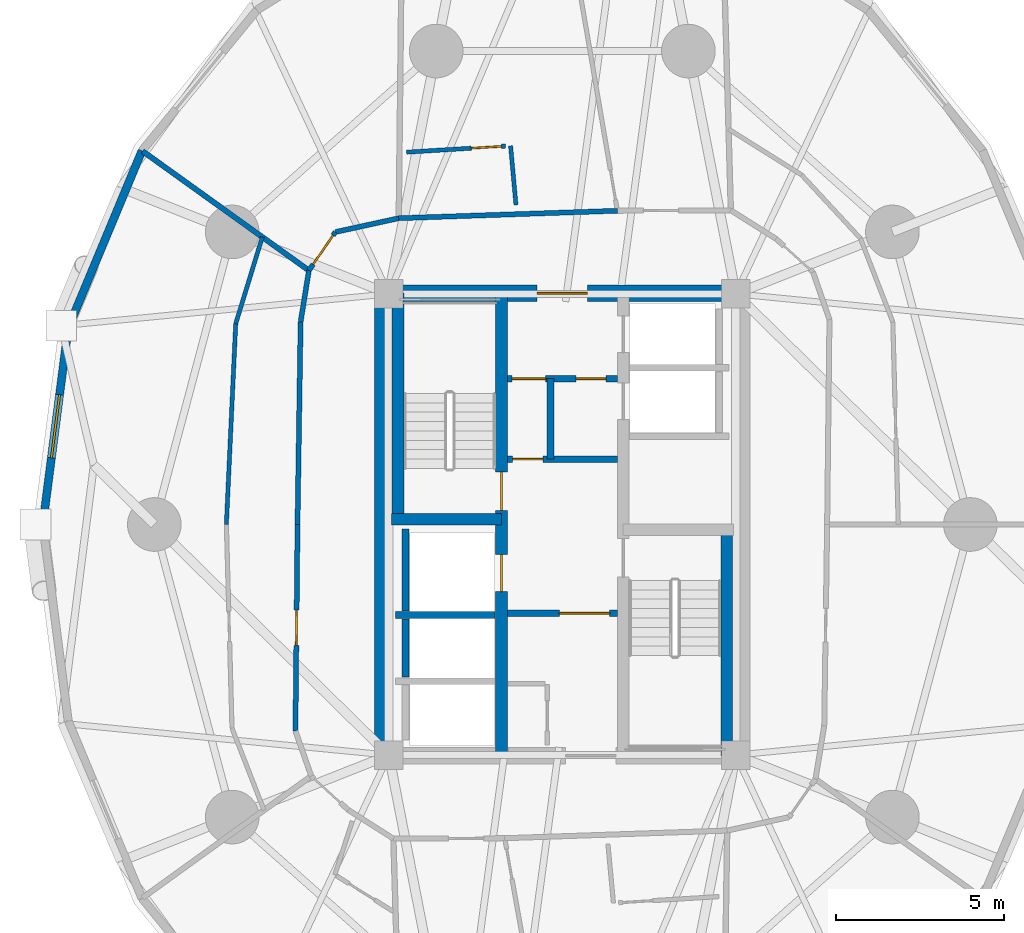
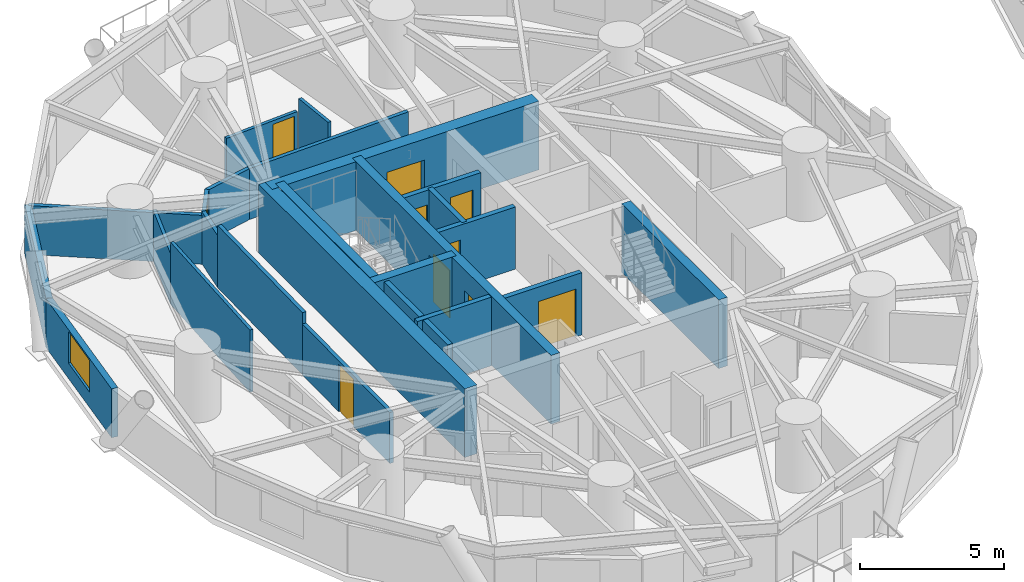
# One storey, part 11 of 20: 26 walls, 10 doors, 1 window, 11 openings.
"""IFC4 building model written with IfcOpenShell, lengths in metres."""

from ifc_helpers import new_model, si_unit, direction, frame, frame_2d, origin, place, context, subcontext, project, spatial, rectangle, extrude, source, transform, mapped, material, layer, layer_set, type_object, element, fill, save


model = new_model("IFC4")

# Units and contexts
model_context = context("Model", 3, precision=1e-05, world=origin(), true_north=direction((0.0, 1.0)))
body_context = subcontext(model_context, "Body", "Model", "MODEL_VIEW")
ifc_project = project(units=[si_unit("LENGTHUNIT", "METRE"), si_unit("AREAUNIT", "SQUARE_METRE"), si_unit("VOLUMEUNIT", "CUBIC_METRE"), si_unit("PLANEANGLEUNIT", "RADIAN"), si_unit("MASSUNIT", "GRAM", prefix="KILO")], contexts=[model_context])

# Site, building, storey
site_placement = place(None, origin())
site = spatial("IfcSite", under=ifc_project, at=site_placement, CompositionType="ELEMENT")
building_placement = place(site_placement, origin())
building = spatial("IfcBuilding", under=site, at=building_placement, Name="Cununo Teusaquillo Station Towers", CompositionType="ELEMENT")
storey_placement = place(building_placement, frame((0.0, 0.0, 39.4599609375)))
storey = spatial("IfcBuildingStorey", under=building, at=storey_placement, Name="L11", CompositionType="ELEMENT", Elevation=39.4599609375)

# Walls
ifc_material_1 = material(Name="Concrete C50/60", Category="concrete")
ifc_layer_1 = layer(ifc_material_1, 0.199951171875)
ifc_layer_set_1 = layer_set([ifc_layer_1], Name="Concrete C50/60")
wall_type_1 = type_object("IfcWallType", Name="WL-CORE-200", PredefinedType="SHEAR", material=ifc_layer_set_1)
wall_1_placement = place(storey_placement, frame((11.52001953125, 21.800048828125, 0.0), z_axis=(0.0, 0.0, 1.0), x_axis=(1.0, 0.0, 0.0)))
element("IfcWall", 1, at=wall_1_placement, inside=storey, type_object=wall_type_1, Name="L11 Tower A Firefighting Lift Shaft South Shear Wall", PredefinedType="SHEAR", context=body_context, shape_type="SweptSolid", body=[
    extrude(rectangle(XDim=2.969970703125, YDim=0.199951171875, at=frame_2d((1.48486328125, 0.0))), origin(), (0.0, 0.0, 1.0), 2.91015625),
])
wall_2_placement = place(storey_placement, frame((11.820068359375, 21.919921875, 0.0), z_axis=(0.0, 0.0, 1.0), x_axis=(0.0, 1.0, 0.0)))
element("IfcWall", 2, at=wall_2_placement, inside=storey, type_object=wall_type_1, Name="L11 Tower A Firefighting Lift Shaft Rear Shear Wall", PredefinedType="SHEAR", context=body_context, shape_type="SweptSolid", body=[
    extrude(rectangle(XDim=2.440185546875, YDim=0.199951171875, at=frame_2d((1.22021484375, 0.0))), origin(), (0.0, 0.0, 1.0), 2.91015625),
])
wall_3_placement = place(storey_placement, frame((11.820068359375, 19.945068359375, 0.0), z_axis=(0.0, 0.0, 1.0), x_axis=(0.0, 1.0, 0.0)))
element("IfcWall", 3, at=wall_3_placement, inside=storey, type_object=wall_type_1, Name="L11 Tower A High-Rise Lift 2 Shaft Rear Shear Wall", PredefinedType="SHEAR", context=body_context, shape_type="SweptSolid", body=[
    extrude(rectangle(XDim=1.73486328125, YDim=0.199951171875, at=frame_2d((0.867431640625, 0.0))), origin(), (0.0, 0.0, 1.0), 2.91015625),
])

# Wall, openings, doors
ifc_material_2 = material(Name="Concrete C50/60", Category="concrete")
ifc_layer_2 = layer(ifc_material_2, 0.35009765625)
ifc_layer_set_2 = layer_set([ifc_layer_2], Name="Concrete C50/60")
wall_type_2 = type_object("IfcWallType", Name="WL-CORE-350", PredefinedType="SHEAR", material=ifc_layer_set_2)
wall_4_placement = place(storey_placement, frame((14.68505859375, 17.60009765625, 0.0), z_axis=(0.0, 0.0, 1.0), x_axis=(0.0, 1.0, 0.0)))
wall_4 = element("IfcWall", 4, at=wall_4_placement, inside=storey, type_object=wall_type_2, Name="L11 Tower A Core Shear Wall IW", PredefinedType="SHEAR", context=body_context, shape_type="SweptSolid", body=[
    extrude(rectangle(XDim=13.7998046875, YDim=0.35009765625, at=frame_2d((6.89990234375, 0.0))), origin(), (0.0, 0.0, 1.0), 2.91015625),
])
shared_shape_1 = source(origin(), body_context, "Body", "SweptSolid", [
    extrude(rectangle(XDim=1.10009765625, YDim=2.014892578125, at=frame_2d((0.550048828125, 1.00732421875))), frame((0.0, 0.18505859375, 0.0), z_axis=(0.0, -1.0, 0.0), x_axis=(1.0, 0.0, 0.0)), (0.0, 0.0, 1.0), 0.3701171875),
])
opening_1_placement = place(wall_4_placement, frame((4.89990234375, 0.0, 0.0)))
opening_1 = element("IfcOpeningElement", 5, at=opening_1_placement, cuts=wall_4, Name="Opening LD-01", PredefinedType="OPENING", context=body_context, shape_type="MappedRepresentation", body=[
    mapped(shared_shape_1, transform((0.0, 0.0, 0.0), x_axis=(1.0, 0.0, 0.0), y_axis=(0.0, 1.0, 0.0), z_axis=(0.0, 0.0, 1.0), scale=1.0)),
])
shared_shape_2 = source(origin(), body_context, "Body", "SweptSolid", [
    extrude(rectangle(XDim=1.14990234375, YDim=2.02001953125, at=frame_2d((0.574951171875, 1.010009765625))), frame((0.0, 0.18505859375, 0.0), z_axis=(0.0, -1.0, 0.0), x_axis=(1.0, 0.0, 0.0)), (0.0, 0.0, 1.0), 0.3701171875),
])
opening_2_placement = place(wall_4_placement, frame((7.320068359375, 0.0, 0.0)))
opening_2 = element("IfcOpeningElement", 6, at=opening_2_placement, cuts=wall_4, Name="Opening D-ST1", PredefinedType="OPENING", context=body_context, shape_type="MappedRepresentation", body=[
    mapped(shared_shape_2, transform((0.0, 0.0, 0.0), x_axis=(1.0, 0.0, 0.0), y_axis=(0.0, 1.0, 0.0), z_axis=(0.0, 0.0, 1.0), scale=1.0)),
])
ifc_material_3 = material(Name="Galvanised fire-rated hollow steel door assembly", Category="steel")
door_type_1 = type_object("IfcDoorType", Name="DR-LIFT-1100", OperationType="SLIDING_TO_LEFT", PredefinedType="DOOR", material=ifc_material_3)
shared_shape_3 = source(origin(), body_context, "Body", "SweptSolid", [
    extrude(rectangle(XDim=1.10009765625, YDim=2.014892578125, at=frame_2d((0.550048828125, 1.00732421875))), frame((0.0, 0.02490234375, 0.0), z_axis=(0.0, -1.0, 0.0), x_axis=(1.0, 0.0, 0.0)), (0.0, 0.0, 1.0), 0.050048828125),
])
door_1_placement = place(opening_1_placement, origin())
door_1 = element("IfcDoor", 7, at=door_1_placement, inside=storey, type_object=door_type_1, Name="L11 Lift FL-T1 Sliding Landing Door", OperationType="SLIDING_TO_RIGHT", OverallHeight=2.014892578125, OverallWidth=1.10009765625, PredefinedType="DOOR", context=body_context, shape_type="MappedRepresentation", body=[
    mapped(shared_shape_3, transform((0.0, 0.0, 0.0), x_axis=(1.0, 0.0, 0.0), y_axis=(0.0, 1.0, 0.0), z_axis=(0.0, 0.0, 1.0), scale=1.0)),
])
fill(opening_1, door_1)
ifc_material_4 = material(Name="Galvanised fire-rated hollow steel door assembly", Category="steel")
door_type_2 = type_object("IfcDoorType", Name="DR-STAIR-1150", OperationType="NOTDEFINED", PredefinedType="DOOR", material=ifc_material_4)
shared_shape_4 = source(origin(), body_context, "Body", "SweptSolid", [
    extrude(rectangle(XDim=1.14990234375, YDim=2.02001953125, at=frame_2d((0.574951171875, 1.010009765625))), frame((0.0, 0.02490234375, 0.0), z_axis=(0.0, -1.0, 0.0), x_axis=(1.0, 0.0, 0.0)), (0.0, 0.0, 1.0), 0.050048828125),
])
door_2_placement = place(opening_2_placement, origin())
door_2 = element("IfcDoor", 8, at=door_2_placement, inside=storey, type_object=door_type_2, Name="L11 Tower A Exit Stair 1 Fire Door", OperationType="SINGLE_SWING_RIGHT", OverallHeight=2.02001953125, OverallWidth=1.14990234375, PredefinedType="DOOR", context=body_context, shape_type="MappedRepresentation", body=[
    mapped(shared_shape_4, transform((0.0, 0.0, 0.0), x_axis=(1.0, 0.0, 0.0), y_axis=(0.0, 1.0, 0.0), z_axis=(0.0, 0.0, 1.0), scale=1.0)),
])
fill(opening_2, door_2)

# Walls
wall_5_placement = place(storey_placement, frame((11.594970703125, 24.655029296875, 0.0), z_axis=(0.0, 0.0, 1.0), x_axis=(0.0, 1.0, 0.0)))
element("IfcWall", 9, at=wall_5_placement, inside=storey, type_object=wall_type_2, Name="L11 Tower A Core Shear Wall ST1W", PredefinedType="SHEAR", context=body_context, shape_type="SweptSolid", body=[
    extrude(rectangle(XDim=6.744873046875, YDim=0.35009765625, at=frame_2d((3.37255859375, 0.0))), origin(), (0.0, 0.0, 1.0), 2.91015625),
])
wall_6_placement = place(storey_placement, frame((11.39990234375, 24.655029296875, 0.0), z_axis=(0.0, 0.0, 1.0), x_axis=(1.0, 0.0, 0.0)))
element("IfcWall", 10, at=wall_6_placement, inside=storey, type_object=wall_type_2, Name="L11 Tower A Core Shear Wall ST1S", PredefinedType="SHEAR", context=body_context, shape_type="SweptSolid", body=[
    extrude(rectangle(XDim=3.28515625, YDim=0.35009765625, at=frame_2d((1.642578125, 0.0))), origin(), (0.0, 0.0, 1.0), 2.91015625),
])
wall_7_placement = place(storey_placement, frame((21.405029296875, 17.60009765625, 0.0), z_axis=(0.0, 0.0, 1.0), x_axis=(0.0, 1.0, 0.0)))
element("IfcWall", 11, at=wall_7_placement, inside=storey, type_object=wall_type_2, Name="L11 Tower A Core Shear Wall ST2E", PredefinedType="SHEAR", context=body_context, shape_type="SweptSolid", body=[
    extrude(rectangle(XDim=6.744873046875, YDim=0.35009765625, at=frame_2d((3.37255859375, 0.0))), origin(), (0.0, 0.0, 1.0), 2.91015625),
])
ifc_material_5 = material(Name="Concrete C60/75", Category="concrete")
ifc_layer_3 = layer(ifc_material_5, 0.5)
ifc_layer_set_3 = layer_set([ifc_layer_3], Name="Concrete C60/75")
wall_type_3 = type_object("IfcWallType", Name="WL-CORE-500", PredefinedType="SHEAR", material=ifc_layer_set_3)
wall_8_placement = place(storey_placement, frame((11.14990234375, 17.35009765625, 0.0), z_axis=(0.0, 0.0, 1.0), x_axis=(0.0, 1.0, 0.0)))
element("IfcWall", 12, at=wall_8_placement, inside=storey, type_object=wall_type_3, Name="L11 Tower A Core Shear Wall W", PredefinedType="SHEAR", context=body_context, shape_type="SweptSolid", body=[
    extrude(rectangle(XDim=14.2998046875, YDim=0.5, at=frame_2d((7.14990234375, 0.0))), origin(), (0.0, 0.0, 1.0), 2.91015625),
])

# Wall, opening, door
wall_9_placement = place(storey_placement, frame((11.14990234375, 31.39990234375, 0.0), z_axis=(0.0, 0.0, 1.0), x_axis=(1.0, 0.0, 0.0)))
wall_9 = element("IfcWall", 13, at=wall_9_placement, inside=storey, type_object=wall_type_3, Name="L11 Tower A Core Shear Wall N", PredefinedType="SHEAR", context=body_context, shape_type="SweptSolid", body=[
    extrude(rectangle(XDim=10.7001953125, YDim=0.5, at=frame_2d((5.35009765625, 0.0))), origin(), (0.0, 0.0, 1.0), 2.91015625),
])
shared_shape_5 = source(origin(), body_context, "Body", "SweptSolid", [
    extrude(rectangle(XDim=1.5, YDim=2.02001953125, at=frame_2d((0.75, 1.010009765625))), frame((0.0, 0.260009765625, 0.0), z_axis=(0.0, -1.0, 0.0), x_axis=(1.0, 0.0, 0.0)), (0.0, 0.0, 1.0), 0.52001953125),
])
opening_3_placement = place(wall_9_placement, frame((4.60009765625, 0.0, 0.0)))
opening_3 = element("IfcOpeningElement", 14, at=opening_3_placement, cuts=wall_9, Name="Opening D-LB1", PredefinedType="OPENING", context=body_context, shape_type="MappedRepresentation", body=[
    mapped(shared_shape_5, transform((0.0, 0.0, 0.0), x_axis=(1.0, 0.0, 0.0), y_axis=(0.0, 1.0, 0.0), z_axis=(0.0, 0.0, 1.0), scale=1.0)),
])
ifc_material_6 = material(Name="Galvanised fire-rated hollow steel door assembly", Category="steel")
door_type_3 = type_object("IfcDoorType", Name="DR-LOBBY-1500", OperationType="DOUBLE_DOOR_SINGLE_SWING", PredefinedType="DOOR", material=ifc_material_6)
shared_shape_6 = source(origin(), body_context, "Body", "SweptSolid", [
    extrude(rectangle(XDim=1.5, YDim=2.02001953125, at=frame_2d((0.75, 1.010009765625))), frame((0.0, 0.02490234375, 0.0), z_axis=(0.0, -1.0, 0.0), x_axis=(1.0, 0.0, 0.0)), (0.0, 0.0, 1.0), 0.050048828125),
])
door_3_placement = place(opening_3_placement, origin())
door_3 = element("IfcDoor", 15, at=door_3_placement, inside=storey, type_object=door_type_3, Name="L11 Tower A North Core Lift Lobby Door", OperationType="DOUBLE_DOOR_SINGLE_SWING", OverallHeight=2.02001953125, OverallWidth=1.5, PredefinedType="DOOR", context=body_context, shape_type="MappedRepresentation", body=[
    mapped(shared_shape_6, transform((0.0, 0.0, 0.0), x_axis=(1.0, 0.0, 0.0), y_axis=(0.0, 1.0, 0.0), z_axis=(0.0, 0.0, 1.0), scale=1.0)),
])
fill(opening_3, door_3)

# Wall
ifc_material_7 = material(Name="Precast concrete C40/50", Category="concrete")
ifc_layer_4 = layer(ifc_material_7, 0.239990234375)
ifc_layer_set_4 = layer_set([ifc_layer_4], Name="Precast concrete C40/50")
wall_type_4 = type_object("IfcWallType", Name="WL-EXT-240", PredefinedType="SOLIDWALL", material=ifc_layer_set_4)
wall_10_placement = place(storey_placement, frame((1.759521484375, 30.362060546875, 0.0), z_axis=(0.0, 0.0, 1.0), x_axis=(0.38430970593, 0.923204229804, 0.0)))
element("IfcWall", 16, at=wall_10_placement, inside=storey, type_object=wall_type_4, Name="L11 Tower A Exterior Facade Wall C08", PredefinedType="SOLIDWALL", context=body_context, shape_type="SweptSolid", body=[
    extrude(rectangle(XDim=5.728271484375, YDim=0.239990234375, at=frame_2d((2.8642578125, 0.0))), origin(), (0.0, 0.0, 1.0), 2.072998046875),
])

# Wall, opening, window
wall_11_placement = place(storey_placement, frame((1.0009765625, 24.5, 0.0), z_axis=(0.0, 0.0, 1.0), x_axis=(0.128329107357, 0.991731637191, 0.0)))
wall_11 = element("IfcWall", 17, at=wall_11_placement, inside=storey, type_object=wall_type_4, Name="L11 Tower A Exterior Facade Wall C09", PredefinedType="SOLIDWALL", context=body_context, shape_type="SweptSolid", body=[
    extrude(rectangle(XDim=5.910888671875, YDim=0.239990234375, at=frame_2d((2.95556640625, 0.0))), origin(), (0.0, 0.0, 1.0), 2.072998046875),
])
shared_shape_7 = source(origin(), body_context, "Body", "SweptSolid", [
    extrude(rectangle(XDim=1.89990234375, YDim=1.35009765625, at=frame_2d((0.949951171875, 0.675048828125))), frame((0.0, 0.1298828125, 0.0), z_axis=(0.0, -1.0, 0.0), x_axis=(1.0, 0.0, 0.0)), (0.0, 0.0, 1.0), 0.260009765625),
])
opening_4_placement = place(wall_11_placement, frame((2.0048828125, 0.0, 0.64990234375)))
opening_4 = element("IfcOpeningElement", 18, at=opening_4_placement, cuts=wall_11, Name="Opening WN-02", PredefinedType="OPENING", context=body_context, shape_type="MappedRepresentation", body=[
    mapped(shared_shape_7, transform((0.0, 0.0, 0.0), x_axis=(1.0, 0.0, 0.0), y_axis=(0.0, 1.0, 0.0), z_axis=(0.0, 0.0, 1.0), scale=1.0)),
])
ifc_material_8 = material(Name="Operable acoustic tinted low-E double glazing", Category="glass")
window_type = type_object("IfcWindowType", Name="WIN-OPER-1900", PartitioningType="DOUBLE_PANEL_VERTICAL", PredefinedType="WINDOW", material=ifc_material_8)
shared_shape_8 = source(origin(), body_context, "Body", "SweptSolid", [
    extrude(rectangle(XDim=1.89990234375, YDim=1.35009765625, at=frame_2d((0.949951171875, 0.675048828125))), frame((0.0, 0.030029296875, 0.0), z_axis=(0.0, -1.0, 0.0), x_axis=(1.0, 0.0, 0.0)), (0.0, 0.0, 1.0), 0.06005859375),
])
window_placement = place(opening_4_placement, origin())
window = element("IfcWindow", 19, at=window_placement, inside=storey, type_object=window_type, Name="L11 Tower A Facade Window C09", OverallHeight=1.35009765625, OverallWidth=1.89990234375, PartitioningType="DOUBLE_PANEL_VERTICAL", PredefinedType="WINDOW", context=body_context, shape_type="MappedRepresentation", body=[
    mapped(shared_shape_8, transform((0.0, 0.0, 0.0), x_axis=(1.0, 0.0, 0.0), y_axis=(0.0, 1.0, 0.0), z_axis=(0.0, 0.0, 1.0), scale=1.0)),
])
fill(opening_4, window)

# Wall
ifc_material_9 = material(Name="Fire-rated gypsum plasterboard partition assembly", Category="gypsum")
ifc_layer_5 = layer(ifc_material_9, 0.125)
ifc_layer_set_5 = layer_set([ifc_layer_5], Name="Fire-rated gypsum plasterboard partition assembly")
wall_type_5 = type_object("IfcWallType", Name="WL-PART-125", PredefinedType="PARTITIONING", material=ifc_layer_set_5)
wall_12_placement = place(storey_placement, frame((15.116943359375, 34.03515625, 0.0), z_axis=(0.0, 0.0, 1.0), x_axis=(-0.090498430303, 0.995896598103, 0.0)))
element("IfcWall", 20, at=wall_12_placement, inside=storey, type_object=wall_type_5, Name="L11 Tower A S02 En-suite Side Wall", PredefinedType="PARTITIONING", context=body_context, shape_type="SweptSolid", body=[
    extrude(rectangle(XDim=1.769775390625, YDim=0.125, at=frame_2d((0.884765625, 0.0))), origin(), (0.0, 0.0, 1.0), 2.635009765625),
])

# Wall, opening, door
wall_13_placement = place(storey_placement, frame((14.80322265625, 35.7880859375, 0.0), z_axis=(0.0, 0.0, 1.0), x_axis=(-0.998116078946, -0.06135383403, 0.0)))
wall_13 = element("IfcWall", 21, at=wall_13_placement, inside=storey, type_object=wall_type_5, Name="L11 Tower A S02 En-suite Back Wall", PredefinedType="PARTITIONING", context=body_context, shape_type="SweptSolid", body=[
    extrude(rectangle(XDim=2.95263671875, YDim=0.125, at=frame_2d((1.476318359375, 0.0))), origin(), (0.0, 0.0, 1.0), 2.158935546875),
])
shared_shape_9 = source(origin(), body_context, "Body", "SweptSolid", [
    extrude(rectangle(XDim=0.89990234375, YDim=2.0048828125, at=frame_2d((0.449951171875, 1.00244140625))), frame((0.0, 0.072509765625, 0.0), z_axis=(0.0, -1.0, 0.0), x_axis=(1.0, 0.0, 0.0)), (0.0, 0.0, 1.0), 0.14501953125),
])
opening_5_placement = place(wall_13_placement, frame((0.1201171875, 0.0, 0.0)))
opening_5 = element("IfcOpeningElement", 22, at=opening_5_placement, cuts=wall_13, Name="Opening D-IN1", PredefinedType="OPENING", context=body_context, shape_type="MappedRepresentation", body=[
    mapped(shared_shape_9, transform((0.0, 0.0, 0.0), x_axis=(1.0, 0.0, 0.0), y_axis=(0.0, 1.0, 0.0), z_axis=(0.0, 0.0, 1.0), scale=1.0)),
])
ifc_material_10 = material(Name="Acoustic solid-core hardwood leaf assembly", Category="wood")
door_type_4 = type_object("IfcDoorType", Name="DR-INT-900", OperationType="NOTDEFINED", PredefinedType="DOOR", material=ifc_material_10)
shared_shape_10 = source(origin(), body_context, "Body", "SweptSolid", [
    extrude(rectangle(XDim=0.89990234375, YDim=2.0048828125, at=frame_2d((0.449951171875, 1.00244140625))), frame((0.0, 0.02490234375, 0.0), z_axis=(0.0, -1.0, 0.0), x_axis=(1.0, 0.0, 0.0)), (0.0, 0.0, 1.0), 0.050048828125),
])
door_4_placement = place(opening_5_placement, origin())
door_4 = element("IfcDoor", 23, at=door_4_placement, inside=storey, type_object=door_type_4, Name="L11 Tower A S02 En-suite Bathroom Door", OperationType="SINGLE_SWING_RIGHT", OverallHeight=2.0048828125, OverallWidth=0.89990234375, PredefinedType="DOOR", context=body_context, shape_type="MappedRepresentation", body=[
    mapped(shared_shape_10, transform((0.0, 0.0, 0.0), x_axis=(1.0, 0.0, 0.0), y_axis=(0.0, 1.0, 0.0), z_axis=(0.0, 0.0, 1.0), scale=1.0)),
])
fill(opening_5, door_4)

# Walls
wall_14_placement = place(storey_placement, frame((7.55029296875, 33.0751953125, 0.0), z_axis=(0.0, 0.0, 1.0), x_axis=(-0.29356532185, -0.955939015736, 0.0)))
element("IfcWall", 24, at=wall_14_placement, inside=storey, type_object=wall_type_5, Name="L11 Tower A Hotel Hydrotherapy Wellness Spa Concentric Partition Wall C08", PredefinedType="PARTITIONING", context=body_context, shape_type="SweptSolid", body=[
    extrude(rectangle(XDim=2.702880859375, YDim=0.125, at=frame_2d((1.3515625, 0.0))), origin(), (0.0, 0.0, 1.0), 2.158935546875),
])
wall_15_placement = place(storey_placement, frame((6.7568359375, 30.491455078125, 0.0), z_axis=(0.0, 0.0, 1.0), x_axis=(-0.046524684881, -0.998917140556, 0.0)))
element("IfcWall", 25, at=wall_15_placement, inside=storey, type_object=wall_type_5, Name="L11 Tower A Hotel Hydrotherapy Wellness Spa Concentric Partition Wall C09", PredefinedType="PARTITIONING", context=body_context, shape_type="SweptSolid", body=[
    extrude(rectangle(XDim=5.998046875, YDim=0.125, at=frame_2d((2.9990234375, 0.0))), origin(), (0.0, 0.0, 1.0), 2.635009765625),
])
ifc_material_11 = material(Name="Fire-rated gypsum plasterboard partition assembly", Category="gypsum")
ifc_layer_6 = layer(ifc_material_11, 0.14990234375)
ifc_layer_set_6 = layer_set([ifc_layer_6], Name="Fire-rated gypsum plasterboard partition assembly")
wall_type_6 = type_object("IfcWallType", Name="WL-PART-150", PredefinedType="PARTITIONING", material=ifc_layer_set_6)
wall_16_placement = place(storey_placement, frame((18.142822265625, 33.859619140625, 0.0), z_axis=(0.0, 0.0, 1.0), x_axis=(-0.999419208319, -0.034077060363, 0.0)))
element("IfcWall", 26, at=wall_16_placement, inside=storey, type_object=wall_type_6, Name="L11 Tower A Corridor Ring Wall C05", PredefinedType="PARTITIONING", context=body_context, shape_type="SweptSolid", body=[
    extrude(rectangle(XDim=6.52685546875, YDim=0.14990234375, at=frame_2d((3.263427734375, 0.0))), origin(), (0.0, 0.0, 1.0), 2.158935546875),
])
wall_17_placement = place(storey_placement, frame((11.619873046875, 33.63720703125, 0.0), z_axis=(0.0, 0.0, 1.0), x_axis=(-0.97702579435, -0.213121085711, 0.0)))
element("IfcWall", 27, at=wall_17_placement, inside=storey, type_object=wall_type_6, Name="L11 Tower A Corridor Ring Wall C06", PredefinedType="PARTITIONING", context=body_context, shape_type="SweptSolid", body=[
    extrude(rectangle(XDim=1.934814453125, YDim=0.14990234375, at=frame_2d((0.96728515625, 0.0))), origin(), (0.0, 0.0, 1.0), 2.158935546875),
])

# Wall, opening, door
wall_18_placement = place(storey_placement, frame((9.7294921875, 33.224853515625, 0.0), z_axis=(0.0, 0.0, 1.0), x_axis=(-0.567183649484, -0.82359134755, 0.0)))
wall_18 = element("IfcWall", 28, at=wall_18_placement, inside=storey, type_object=wall_type_6, Name="L11 Tower A Corridor Ring Wall C07", PredefinedType="PARTITIONING", context=body_context, shape_type="SweptSolid", body=[
    extrude(rectangle(XDim=1.39208984375, YDim=0.14990234375, at=frame_2d((0.696044921875, 0.0))), origin(), (0.0, 0.0, 1.0), 2.158935546875),
])
shared_shape_11 = source(origin(), body_context, "Body", "SweptSolid", [
    extrude(rectangle(XDim=1.050048828125, YDim=2.014892578125, at=frame_2d((0.52490234375, 1.00732421875))), frame((0.0, 0.0849609375, 0.0), z_axis=(0.0, -1.0, 0.0), x_axis=(1.0, 0.0, 0.0)), (0.0, 0.0, 1.0), 0.169921875),
])
opening_6_placement = place(wall_18_placement, frame((0.1201171875, 0.0, 0.0)))
opening_6 = element("IfcOpeningElement", 29, at=opening_6_placement, cuts=wall_18, Name="Opening D-SU1", PredefinedType="OPENING", context=body_context, shape_type="MappedRepresentation", body=[
    mapped(shared_shape_11, transform((0.0, 0.0, 0.0), x_axis=(1.0, 0.0, 0.0), y_axis=(0.0, 1.0, 0.0), z_axis=(0.0, 0.0, 1.0), scale=1.0)),
])
ifc_material_12 = material(Name="Acoustic solid-core hardwood leaf assembly", Category="wood")
door_type_5 = type_object("IfcDoorType", Name="DR-SUITE-1050", OperationType="NOTDEFINED", PredefinedType="DOOR", material=ifc_material_12)
shared_shape_12 = source(origin(), body_context, "Body", "SweptSolid", [
    extrude(rectangle(XDim=1.050048828125, YDim=2.014892578125, at=frame_2d((0.52490234375, 1.00732421875))), frame((0.0, 0.02490234375, 0.0), z_axis=(0.0, -1.0, 0.0), x_axis=(1.0, 0.0, 0.0)), (0.0, 0.0, 1.0), 0.050048828125),
])
door_5_placement = place(opening_6_placement, origin())
door_5 = element("IfcDoor", 30, at=door_5_placement, inside=storey, type_object=door_type_5, Name="L11 Tower A Hotel Boardroom Salon Entrance Door", OperationType="SINGLE_SWING_LEFT", OverallHeight=2.014892578125, OverallWidth=1.050048828125, PredefinedType="DOOR", context=body_context, shape_type="MappedRepresentation", body=[
    mapped(shared_shape_12, transform((0.0, 0.0, 0.0), x_axis=(1.0, 0.0, 0.0), y_axis=(0.0, 1.0, 0.0), z_axis=(0.0, 0.0, 1.0), scale=1.0)),
])
fill(opening_6, door_5)

# Walls
wall_19_placement = place(storey_placement, frame((8.93994140625, 32.078369140625, 0.0), z_axis=(0.0, 0.0, 1.0), x_axis=(-0.159148467753, -0.98725466077, 0.0)))
element("IfcWall", 31, at=wall_19_placement, inside=storey, type_object=wall_type_6, Name="L11 Tower A Corridor Ring Wall C08", PredefinedType="PARTITIONING", context=body_context, shape_type="SweptSolid", body=[
    extrude(rectangle(XDim=1.553955078125, YDim=0.14990234375, at=frame_2d((0.77685546875, 0.0))), origin(), (0.0, 0.0, 1.0), 2.205078125),
])
wall_20_placement = place(storey_placement, frame((8.692626953125, 30.544189453125, 0.0), z_axis=(0.0, 0.0, 1.0), x_axis=(-0.015307007986, -0.99988284089, 0.0)))
element("IfcWall", 32, at=wall_20_placement, inside=storey, type_object=wall_type_6, Name="L11 Tower A Corridor Ring Wall C09", PredefinedType="PARTITIONING", context=body_context, shape_type="SweptSolid", body=[
    extrude(rectangle(XDim=6.044921875, YDim=0.14990234375, at=frame_2d((3.0224609375, 0.0))), origin(), (0.0, 0.0, 1.0), 2.635009765625),
])

# Wall, opening, door
wall_21_placement = place(storey_placement, frame((8.60009765625, 24.5, 0.0), z_axis=(0.0, 0.0, 1.0), x_axis=(-0.010023665349, -0.999949761805, 0.0)))
wall_21 = element("IfcWall", 33, at=wall_21_placement, inside=storey, type_object=wall_type_6, Name="L11 Tower A Corridor Ring Wall C10", PredefinedType="PARTITIONING", context=body_context, shape_type="SweptSolid", body=[
    extrude(rectangle(XDim=6.162109375, YDim=0.14990234375, at=frame_2d((3.0810546875, 0.0))), origin(), (0.0, 0.0, 1.0), 2.158935546875),
])
opening_7_placement = place(wall_21_placement, frame((2.55615234375, 0.0, 0.0)))
opening_7 = element("IfcOpeningElement", 34, at=opening_7_placement, cuts=wall_21, Name="Opening D-SU1", PredefinedType="OPENING", context=body_context, shape_type="MappedRepresentation", body=[
    mapped(shared_shape_11, transform((0.0, 0.0, 0.0), x_axis=(1.0, 0.0, 0.0), y_axis=(0.0, 1.0, 0.0), z_axis=(0.0, 0.0, 1.0), scale=1.0)),
])
door_6_placement = place(opening_7_placement, origin())
door_6 = element("IfcDoor", 35, at=door_6_placement, inside=storey, type_object=door_type_5, Name="L11 Tower A Hotel Hydrotherapy Wellness Spa Entrance Door", OperationType="SINGLE_SWING_RIGHT", OverallHeight=2.014892578125, OverallWidth=1.050048828125, PredefinedType="DOOR", context=body_context, shape_type="MappedRepresentation", body=[
    mapped(shared_shape_12, transform((0.0, 0.0, 0.0), x_axis=(1.0, 0.0, 0.0), y_axis=(0.0, 1.0, 0.0), z_axis=(0.0, 0.0, 1.0), scale=1.0)),
])
fill(opening_7, door_6)

# Wall
ifc_material_13 = material(Name="Fire-rated gypsum plasterboard partition assembly", Category="gypsum")
ifc_layer_7 = layer(ifc_material_13, 0.159912109375)
ifc_layer_set_7 = layer_set([ifc_layer_7], Name="Fire-rated gypsum plasterboard partition assembly")
wall_type_7 = type_object("IfcWallType", Name="WL-PART-160", PredefinedType="PARTITIONING", material=ifc_layer_set_7)
wall_22_placement = place(storey_placement, frame((8.93994140625, 32.078369140625, 0.0), z_axis=(0.0, 0.0, 1.0), x_axis=(-0.812546070691, 0.582896974606, 0.0)))
element("IfcWall", 36, at=wall_22_placement, inside=storey, type_object=wall_type_7, Name="L11 Tower A Radial Suite Partition R04", PredefinedType="PARTITIONING", context=body_context, shape_type="SweptSolid", body=[
    extrude(rectangle(XDim=6.107421875, YDim=0.159912109375, at=frame_2d((3.0537109375, 0.0))), origin(), (0.0, 0.0, 1.0), 2.072998046875),
])

# Wall, opening, door
ifc_material_14 = material(Name="Fire-rated gypsum plasterboard partition assembly", Category="gypsum")
ifc_layer_8 = layer(ifc_material_14, 0.199951171875)
ifc_layer_set_8 = layer_set([ifc_layer_8], Name="Fire-rated gypsum plasterboard partition assembly")
wall_type_8 = type_object("IfcWallType", Name="WL-PART-200", PredefinedType="PARTITIONING", material=ifc_layer_set_8)
wall_23_placement = place(storey_placement, frame((14.860107421875, 21.85009765625, 0.0), z_axis=(0.0, 0.0, 1.0), x_axis=(1.0, 0.0, 0.0)))
wall_23 = element("IfcWall", 37, at=wall_23_placement, inside=storey, type_object=wall_type_8, Name="L11 Tower A Firefighting Lift Lobby South Fire Wall", PredefinedType="PARTITIONING", context=body_context, shape_type="SweptSolid", body=[
    extrude(rectangle(XDim=3.27978515625, YDim=0.199951171875, at=frame_2d((1.639892578125, 0.0))), origin(), (0.0, 0.0, 1.0), 2.635009765625),
])
shared_shape_13 = source(origin(), body_context, "Body", "SweptSolid", [
    extrude(rectangle(XDim=1.5, YDim=2.02001953125, at=frame_2d((0.75, 1.010009765625))), frame((0.0, 0.10986328125, 0.0), z_axis=(0.0, -1.0, 0.0), x_axis=(1.0, 0.0, 0.0)), (0.0, 0.0, 1.0), 0.219970703125),
])
opening_8_placement = place(wall_23_placement, frame((1.550048828125, 0.0, 0.0)))
opening_8 = element("IfcOpeningElement", 38, at=opening_8_placement, cuts=wall_23, Name="Opening D-LB1", PredefinedType="OPENING", context=body_context, shape_type="MappedRepresentation", body=[
    mapped(shared_shape_13, transform((0.0, 0.0, 0.0), x_axis=(1.0, 0.0, 0.0), y_axis=(0.0, 1.0, 0.0), z_axis=(0.0, 0.0, 1.0), scale=1.0)),
])
door_7_placement = place(opening_8_placement, origin())
door_7 = element("IfcDoor", 39, at=door_7_placement, inside=storey, type_object=door_type_3, Name="L11 Tower A Firefighting Lift Lobby South Fire Door", OperationType="DOUBLE_DOOR_SINGLE_SWING", OverallHeight=2.02001953125, OverallWidth=1.5, PredefinedType="DOOR", context=body_context, shape_type="MappedRepresentation", body=[
    mapped(shared_shape_6, transform((0.0, 0.0, 0.0), x_axis=(1.0, 0.0, 0.0), y_axis=(0.0, 1.0, 0.0), z_axis=(0.0, 0.0, 1.0), scale=1.0)),
])
fill(opening_8, door_7)

wall_24_placement = place(storey_placement, frame((14.860107421875, 26.449951171875, 0.0), z_axis=(0.0, 0.0, 1.0), x_axis=(1.0, 0.0, 0.0)))
wall_24 = element("IfcWall", 40, at=wall_24_placement, inside=storey, type_object=wall_type_8, Name="L11 Tower A Firefighting Lift Lobby North Fire Wall", PredefinedType="PARTITIONING", context=body_context, shape_type="SweptSolid", body=[
    extrude(rectangle(XDim=3.27978515625, YDim=0.199951171875, at=frame_2d((1.639892578125, 0.0))), origin(), (0.0, 0.0, 1.0), 2.635009765625),
])
shared_shape_14 = source(origin(), body_context, "Body", "SweptSolid", [
    extrude(rectangle(XDim=0.89990234375, YDim=2.0048828125, at=frame_2d((0.449951171875, 1.00244140625))), frame((0.0, 0.10986328125, 0.0), z_axis=(0.0, -1.0, 0.0), x_axis=(1.0, 0.0, 0.0)), (0.0, 0.0, 1.0), 0.219970703125),
])
opening_9_placement = place(wall_24_placement, frame((0.159912109375, 0.0, 0.0)))
opening_9 = element("IfcOpeningElement", 41, at=opening_9_placement, cuts=wall_24, Name="Opening D-SR1", PredefinedType="OPENING", context=body_context, shape_type="MappedRepresentation", body=[
    mapped(shared_shape_14, transform((0.0, 0.0, 0.0), x_axis=(1.0, 0.0, 0.0), y_axis=(0.0, 1.0, 0.0), z_axis=(0.0, 0.0, 1.0), scale=1.0)),
])
ifc_material_15 = material(Name="Galvanised fire-rated hollow steel door assembly", Category="steel")
door_type_6 = type_object("IfcDoorType", Name="DR-STORE-900", OperationType="NOTDEFINED", PredefinedType="DOOR", material=ifc_material_15)
door_8_placement = place(opening_9_placement, origin())
door_8 = element("IfcDoor", 42, at=door_8_placement, inside=storey, type_object=door_type_6, Name="L11 Tower A Stair 1 Protected Vestibule South Door", OperationType="SINGLE_SWING_RIGHT", OverallHeight=2.0048828125, OverallWidth=0.89990234375, PredefinedType="DOOR", context=body_context, shape_type="MappedRepresentation", body=[
    mapped(shared_shape_10, transform((0.0, 0.0, 0.0), x_axis=(1.0, 0.0, 0.0), y_axis=(0.0, 1.0, 0.0), z_axis=(0.0, 0.0, 1.0), scale=1.0)),
])
fill(opening_9, door_8)

# Wall
wall_25_placement = place(storey_placement, frame((16.14990234375, 26.449951171875, 0.0), z_axis=(0.0, 0.0, 1.0), x_axis=(0.0, 1.0, 0.0)))
element("IfcWall", 43, at=wall_25_placement, inside=storey, type_object=wall_type_8, Name="L11 Tower A Stair 1 Vestibule Partition Wall", PredefinedType="PARTITIONING", context=body_context, shape_type="SweptSolid", body=[
    extrude(rectangle(XDim=2.400146484375, YDim=0.199951171875, at=frame_2d((1.2001953125, 0.0))), origin(), (0.0, 0.0, 1.0), 2.635009765625),
])

# Wall, openings, doors
wall_26_placement = place(storey_placement, frame((14.860107421875, 28.85009765625, 0.0), z_axis=(0.0, 0.0, 1.0), x_axis=(1.0, 0.0, 0.0)))
wall_26 = element("IfcWall", 44, at=wall_26_placement, inside=storey, type_object=wall_type_8, Name="L11 Tower A North Lift Lobby South Fire Wall", PredefinedType="PARTITIONING", context=body_context, shape_type="SweptSolid", body=[
    extrude(rectangle(XDim=3.27978515625, YDim=0.199951171875, at=frame_2d((1.639892578125, 0.0))), origin(), (0.0, 0.0, 1.0), 2.635009765625),
])
shared_shape_15 = source(origin(), body_context, "Body", "SweptSolid", [
    extrude(rectangle(XDim=1.0, YDim=2.014892578125, at=frame_2d((0.5, 1.00732421875))), frame((0.0, 0.10986328125, 0.0), z_axis=(0.0, -1.0, 0.0), x_axis=(1.0, 0.0, 0.0)), (0.0, 0.0, 1.0), 0.219970703125),
])
opening_10_placement = place(wall_26_placement, frame((0.139892578125, 0.0, 0.0)))
opening_10 = element("IfcOpeningElement", 45, at=opening_10_placement, cuts=wall_26, Name="Opening D-AC1", PredefinedType="OPENING", context=body_context, shape_type="MappedRepresentation", body=[
    mapped(shared_shape_15, transform((0.0, 0.0, 0.0), x_axis=(1.0, 0.0, 0.0), y_axis=(0.0, 1.0, 0.0), z_axis=(0.0, 0.0, 1.0), scale=1.0)),
])
opening_11_placement = place(wall_26_placement, frame((2.050048828125, 0.0, 0.0)))
opening_11 = element("IfcOpeningElement", 46, at=opening_11_placement, cuts=wall_26, Name="Opening D-SR1", PredefinedType="OPENING", context=body_context, shape_type="MappedRepresentation", body=[
    mapped(shared_shape_14, transform((0.0, 0.0, 0.0), x_axis=(1.0, 0.0, 0.0), y_axis=(0.0, 1.0, 0.0), z_axis=(0.0, 0.0, 1.0), scale=1.0)),
])
door_9_placement = place(opening_11_placement, origin())
door_9 = element("IfcDoor", 47, at=door_9_placement, inside=storey, type_object=door_type_6, Name="L11 Tower A Core Housekeeping & Linen Store Door", OperationType="SINGLE_SWING_LEFT", OverallHeight=2.0048828125, OverallWidth=0.89990234375, PredefinedType="DOOR", context=body_context, shape_type="MappedRepresentation", body=[
    mapped(shared_shape_10, transform((0.0, 0.0, 0.0), x_axis=(1.0, 0.0, 0.0), y_axis=(0.0, 1.0, 0.0), z_axis=(0.0, 0.0, 1.0), scale=1.0)),
])
fill(opening_11, door_9)
ifc_material_16 = material(Name="Acoustic solid-core hardwood leaf assembly", Category="wood")
door_type_7 = type_object("IfcDoorType", Name="DR-ACC-1000", OperationType="NOTDEFINED", PredefinedType="DOOR", material=ifc_material_16)
shared_shape_16 = source(origin(), body_context, "Body", "SweptSolid", [
    extrude(rectangle(XDim=1.0, YDim=2.014892578125, at=frame_2d((0.5, 1.00732421875))), frame((0.0, 0.02490234375, 0.0), z_axis=(0.0, -1.0, 0.0), x_axis=(1.0, 0.0, 0.0)), (0.0, 0.0, 1.0), 0.050048828125),
])
door_10_placement = place(opening_10_placement, origin())
door_10 = element("IfcDoor", 48, at=door_10_placement, inside=storey, type_object=door_type_7, Name="L11 Tower A North Lift Lobby to Stair 1 Vestibule Door", OperationType="SINGLE_SWING_LEFT", OverallHeight=2.014892578125, OverallWidth=1.0, PredefinedType="DOOR", context=body_context, shape_type="MappedRepresentation", body=[
    mapped(shared_shape_16, transform((0.0, 0.0, 0.0), x_axis=(1.0, 0.0, 0.0), y_axis=(0.0, 1.0, 0.0), z_axis=(0.0, 0.0, 1.0), scale=1.0)),
])
fill(opening_10, door_10)

save(model, "model.ifc")
